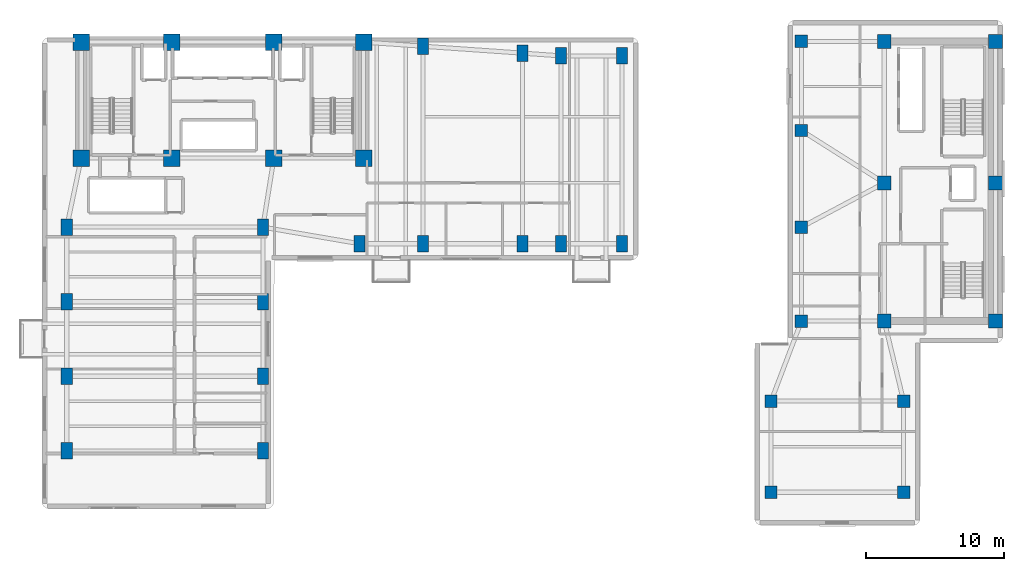
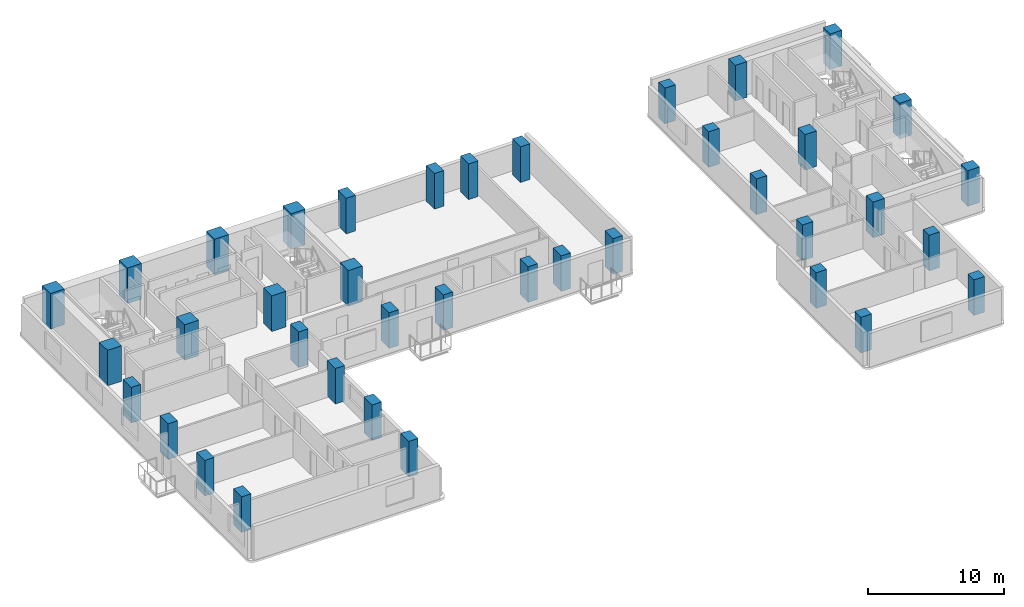
# One storey, part 1 of 14: 39 columns.
"""IFC4 building model written with IfcOpenShell, lengths in metres."""

import ifcopenshell
import ifcopenshell.guid

model = None  # the IFC model being written
_history = None  # IfcOwnerHistory: only IFC2X3 demands one
_inside = {}  # id of a spatial element -> (the spatial element, [elements in it])
_under = {}  # id of a project, library or spatial element -> (it, [spatial elements below it])
_declared = {}  # id of a project -> (the project, [libraries it declares])
_typed = {}  # id of a type object -> (the type object, [elements of that type])
_made_of = {}  # id of a material, layer set ... -> (it, [elements and type objects made of it])


def new_model(schema):
    """Start an empty IFC model of exactly this schema.

    Asked for "IFC4X3", IfcOpenShell would pick the latest addendum, in which some entities
    have other attributes; the version numbers below select the first issue.
    IFC2X3 requires an IfcOwnerHistory on every rooted entity: one is made here for all.
    """
    global model, _history
    if schema == "IFC4X3":
        model = ifcopenshell.file(schema_version=(4, 3, 0, 0))
    else:
        model = ifcopenshell.file(schema=schema)
    _inside.clear()
    _under.clear()
    _declared.clear()
    _typed.clear()
    _made_of.clear()
    _history = None
    if model.schema == "IFC2X3":
        org = make("IfcOrganization", Name="unknown")
        user = make(
            "IfcPersonAndOrganization",
            ThePerson=make("IfcPerson", FamilyName="unknown"),
            TheOrganization=org,
        )
        app = make(
            "IfcApplication",
            ApplicationDeveloper=org,
            Version="unknown",
            ApplicationFullName="unknown",
            ApplicationIdentifier="unknown",
        )
        _history = make(
            "IfcOwnerHistory",
            OwningUser=user,
            OwningApplication=app,
            ChangeAction="ADDED",
            CreationDate=0,
        )
    return model


def make(cls, **values):
    """One entity of the class cls with the attributes given. An attribute that is None is left unset."""
    return model.create_entity(
        cls, **{name: value for name, value in values.items() if value is not None}
    )


def rooted(cls, **values):
    """An entity with a GlobalId (a new one), such as an element, a storey or a relation."""
    return make(cls, GlobalId=ifcopenshell.guid.new(), OwnerHistory=_history, **values)


def si_unit(unit_type, name, prefix=None):
    """IfcSIUnit, for example si_unit("LENGTHUNIT", "METRE", prefix="MILLI")."""
    return make("IfcSIUnit", UnitType=unit_type, Prefix=prefix, Name=name)


def assignment(units):
    """IfcUnitAssignment: the units of a project."""
    return None if units is None else make("IfcUnitAssignment", Units=units)


def point(xyz):
    """IfcCartesianPoint."""
    return None if xyz is None else make("IfcCartesianPoint", Coordinates=xyz)


def direction(xyz):
    """IfcDirection."""
    return None if xyz is None else make("IfcDirection", DirectionRatios=xyz)


def frame(location, z_axis=None, x_axis=None):
    """IfcAxis2Placement3D, a coordinate frame: its origin and axes. An axis left out is left unset."""
    return make(
        "IfcAxis2Placement3D",
        Location=point(location),
        Axis=direction(z_axis),
        RefDirection=direction(x_axis),
    )


def frame_2d(location, x_axis=None):
    """IfcAxis2Placement2D, a coordinate frame in the plane: its origin and x axis."""
    return make(
        "IfcAxis2Placement2D", Location=point(location), RefDirection=direction(x_axis)
    )


def origin():
    """The frame at (0, 0, 0) with its axes left unset."""
    return frame((0.0, 0.0, 0.0))


def origin_2d():
    """The frame at (0, 0) in the plane with its x axis left unset."""
    return frame_2d((0.0, 0.0))


def place(relative_to, where):
    """IfcLocalPlacement: puts the frame where relative to a parent placement (None: the world)."""
    return make(
        "IfcLocalPlacement", PlacementRelTo=relative_to, RelativePlacement=where
    )


def context(
    kind, dimensions, precision=None, world=None, true_north=None, identifier=None
):
    """IfcGeometricRepresentationContext, for example the 3D "Model" context."""
    return make(
        "IfcGeometricRepresentationContext",
        ContextIdentifier=identifier,
        ContextType=kind,
        CoordinateSpaceDimension=dimensions,
        Precision=precision,
        WorldCoordinateSystem=world,
        TrueNorth=true_north,
    )


def subcontext(parent, identifier, kind, view, scale=None):
    """IfcGeometricRepresentationSubContext, for example "Body" below "Model"."""
    return make(
        "IfcGeometricRepresentationSubContext",
        ContextIdentifier=identifier,
        ContextType=kind,
        ParentContext=parent,
        TargetScale=scale,
        TargetView=view,
    )


def project(units=None, contexts=None):
    """IfcProject with its units and contexts."""
    return rooted(
        "IfcProject",
        Name="project",
        RepresentationContexts=contexts,
        UnitsInContext=assignment(units),
    )


def spatial(cls, under=None, at=None, **own):
    """A site, building, storey or space (cls), placed at a placement, below another one or the project."""
    s = rooted(cls, ObjectPlacement=at, **own)
    if under is not None:
        _under.setdefault(under.id(), (under, []))[1].append(s)
    return s


def profile(cls, at=None, kind="AREA", **sizes):
    """A parametric profile (cls). Its sizes go by their IFC names, for example OverallWidth=200.0."""
    return make(cls, ProfileType=kind, Position=at, **sizes)


def rectangle(**sizes):
    """IfcRectangleProfileDef."""
    return profile("IfcRectangleProfileDef", **sizes)


def extrude(swept, where, along, depth):
    """IfcExtrudedAreaSolid: the profile swept, set in the frame where, extruded along a direction by depth."""
    return make(
        "IfcExtrudedAreaSolid",
        SweptArea=swept,
        Position=where,
        ExtrudedDirection=direction(along),
        Depth=depth,
    )


def shape(context_of_items, identifier, shape_type, items):
    """IfcShapeRepresentation: the items that make up one representation, for example the "Body"."""
    return make(
        "IfcShapeRepresentation",
        ContextOfItems=context_of_items,
        RepresentationIdentifier=identifier,
        RepresentationType=shape_type,
        Items=items,
    )


def material(Name=None, Category=None):
    """IfcMaterial."""
    return make("IfcMaterial", Name=Name, Category=Category)


def material_profile(
    of_material, cross_section, Name=None, Category=None, Priority=None
):
    """IfcMaterialProfile: a cross section and its material."""
    return make(
        "IfcMaterialProfile",
        Name=Name,
        Material=of_material,
        Profile=cross_section,
        Priority=Priority,
        Category=Category,
    )


def profile_set(profiles, Name=None, composite=None):
    """IfcMaterialProfileSet."""
    return make(
        "IfcMaterialProfileSet",
        Name=Name,
        MaterialProfiles=profiles,
        CompositeProfile=composite,
    )


def made_of(thing, what):
    """Note that an element or type object is made of a material, layer set ...; save() writes the relation."""
    if what is not None:
        _made_of.setdefault(what.id(), (what, []))[1].append(thing)
    return thing


def type_object(cls, material=None, **own):
    """A type object (cls), such as IfcWallType, which elements share."""
    return made_of(rooted(cls, **own), material)


def element(
    cls,
    number,
    at=None,
    inside=None,
    cuts=None,
    type_object=None,
    material=None,
    context=None,
    identifier="Body",
    shape_type=None,
    held_by="IfcProductDefinitionShape",
    body=None,
    shapes=None,
    **own,
):
    """One element of the class cls, such as IfcWall. Its Tag is "e" and its number.

    at: its placement. inside: the storey or other place that contains it. cuts: it is an
    opening in that element (IfcRelVoidsElement). A single representation is given by context,
    identifier, shape_type and body (its items); several are given by shapes. held_by: the class
    of the entity that holds the representations. save() writes the other relations.
    """
    e = rooted(cls, Tag="e%d" % number, ObjectPlacement=at, **own)
    if body is not None:
        shapes = [shape(context, identifier, shape_type, body)]
    if shapes is not None:
        e.Representation = make(held_by, Representations=shapes)
    if inside is not None:
        _inside.setdefault(inside.id(), (inside, []))[1].append(e)
    if cuts is not None:
        rooted(
            "IfcRelVoidsElement", RelatingBuildingElement=cuts, RelatedOpeningElement=e
        )
    if type_object is not None:
        _typed.setdefault(type_object.id(), (type_object, []))[1].append(e)
    return made_of(e, material)


def aggregate(whole, parts):
    """IfcRelAggregates: a whole, such as a stair, and the parts it consists of."""
    return rooted("IfcRelAggregates", RelatingObject=whole, RelatedObjects=parts)


def save(model, path):
    """Write the relations noted so far, then the file.

    IfcRelAggregates (storeys below a building ...), IfcRelContainedInSpatialStructure (elements
    in a storey), IfcRelDefinesByType, IfcRelAssociatesMaterial and IfcRelDeclares: one each for
    every whole, place, type object, material and project.
    """
    for whole, parts in _under.values():
        aggregate(whole, parts)
    for where, things in _inside.values():
        rooted(
            "IfcRelContainedInSpatialStructure",
            RelatedElements=things,
            RelatingStructure=where,
        )
    for kind, things in _typed.values():
        rooted("IfcRelDefinesByType", RelatedObjects=things, RelatingType=kind)
    for what, things in _made_of.values():
        rooted("IfcRelAssociatesMaterial", RelatedObjects=things, RelatingMaterial=what)
    for by, libraries in _declared.values():
        rooted("IfcRelDeclares", RelatingContext=by, RelatedDefinitions=libraries)
    model.write(path)


model = new_model("IFC4")

# Units and contexts
model_context = context("Model", 3, precision=1e-05, world=origin(), true_north=direction((0.0, 1.0)))
body_context = subcontext(model_context, "Body", "Model", "MODEL_VIEW")
ifc_project = project(units=[si_unit("LENGTHUNIT", "METRE"), si_unit("AREAUNIT", "SQUARE_METRE"), si_unit("VOLUMEUNIT", "CUBIC_METRE"), si_unit("PLANEANGLEUNIT", "RADIAN"), si_unit("MASSUNIT", "GRAM", prefix="KILO")], contexts=[model_context])

# Site, building, storey
site_placement = place(None, origin())
site = spatial("IfcSite", under=ifc_project, at=site_placement, CompositionType="ELEMENT")
building_placement = place(site_placement, origin())
building = spatial("IfcBuilding", under=site, at=building_placement, Name="Kuzgunbayir Cultural Tower", CompositionType="ELEMENT")
storey_placement = place(building_placement, frame((0.0, 0.0, 69.199951171875)))
storey = spatial("IfcBuildingStorey", under=building, at=storey_placement, Name="L19", CompositionType="ELEMENT", Elevation=69.199951171875)

# Columns
ifc_material = material(Name="Concrete C60/75", Category="concrete")
ifc_material_profile_1 = material_profile(ifc_material, rectangle(XDim=1.199951171875, YDim=1.199951171875, at=origin_2d()), Name="RC 1200x1200")
ifc_profile_set_1 = profile_set([ifc_material_profile_1], Name="Concrete C60/75")
column_type_1 = type_object("IfcColumnType", Name="COL-CORE-1200", PredefinedType="COLUMN", material=ifc_profile_set_1)
for number, where, z_axis, x_axis, name in (
    (1, (6.449951171875, 33.800048828125, 0.0), (0.0, 0.0, 1.0), (1.0, 0.0, 0.0), "L19 T1 Core Boundary Column CC1-1"),
    (2, (13.0, 33.800048828125, 0.0), (0.0, 0.0, 1.0), (1.0, 0.0, 0.0), "L19 T1 Core Boundary Column CC1-2"),
    (3, (20.39990234375, 33.800048828125, 0.0), (0.0, 0.0, 1.0), (1.0, 0.0, 0.0), "L19 T1 Core Boundary Column CC1-3"),
    (4, (26.89990234375, 33.800048828125, 0.0), (0.0, 0.0, 1.0), (1.0, 0.0, 0.0), "L19 T1 Core Boundary Column CC1-4"),
    (5, (6.449951171875, 42.199951171875, 0.0), (0.0, 0.0, 1.0), (1.0, 0.0, 0.0), "L19 T1 Core Boundary Column CC1-5"),
    (6, (13.0, 42.199951171875, 0.0), (0.0, 0.0, 1.0), (1.0, 0.0, 0.0), "L19 T1 Core Boundary Column CC1-6"),
    (7, (20.39990234375, 42.199951171875, 0.0), (0.0, 0.0, 1.0), (1.0, 0.0, 0.0), "L19 T1 Core Boundary Column CC1-7"),
    (8, (26.89990234375, 42.199951171875, 0.0), (0.0, 0.0, 1.0), (1.0, 0.0, 0.0), "L19 T1 Core Boundary Column CC1-8"),
):
    element("IfcColumn", number, at=place(storey_placement, frame(where, z_axis=z_axis, x_axis=x_axis)), inside=storey, type_object=column_type_1, Name=name, PredefinedType="COLUMN", context=body_context, shape_type="SweptSolid", body=[
        extrude(rectangle(XDim=1.199951171875, YDim=1.199951171875, at=origin_2d()), origin(), (0.0, 0.0, 1.0), 3.199951171875),
    ])
ifc_material_profile_2 = material_profile(ifc_material, rectangle(XDim=0.800048828125, YDim=1.199951171875, at=origin_2d()), Name="RC 1200x800")
ifc_profile_set_2 = profile_set([ifc_material_profile_2], Name="Concrete C60/75")
column_type_2 = type_object("IfcColumnType", Name="COL-T1-1200x800", PredefinedType="COLUMN", material=ifc_profile_set_2)
for number, where, z_axis, x_axis, name in (
    (9, (5.39990234375, 12.60009765625, 0.0), (0.0, 0.0, 1.0), (1.0, 0.0, 0.0), "L19 Tower 1 Wing A Column T1A-W-1"),
    (10, (19.60009765625, 12.60009765625, 0.0), (0.0, 0.0, 1.0), (1.0, 0.0, 0.0), "L19 Tower 1 Wing A Column T1A-E-1"),
    (11, (5.39990234375, 18.0, 0.0), (0.0, 0.0, 1.0), (1.0, 0.0, 0.0), "L19 Tower 1 Wing A Column T1A-W-2"),
    (12, (19.60009765625, 18.0, 0.0), (0.0, 0.0, 1.0), (1.0, 0.0, 0.0), "L19 Tower 1 Wing A Column T1A-E-2"),
    (13, (5.39990234375, 23.39990234375, 0.0), (0.0, 0.0, 1.0), (1.0, 0.0, 0.0), "L19 Tower 1 Wing A Column T1A-W-3"),
    (14, (19.60009765625, 23.39990234375, 0.0), (0.0, 0.0, 1.0), (1.0, 0.0, 0.0), "L19 Tower 1 Wing A Column T1A-E-3"),
    (15, (5.39990234375, 28.800048828125, 0.0), (0.0, 0.0, 1.0), (1.0, 0.0, 0.0), "L19 Tower 1 Wing A Column T1A-W-4"),
    (16, (19.60009765625, 28.800048828125, 0.0), (0.0, 0.0, 1.0), (1.0, 0.0, 0.0), "L19 Tower 1 Wing A Column T1A-E-4"),
    (17, (26.60009765625, 27.60009765625, 0.0), (0.0, 0.0, 1.0), (1.0, 0.0, 0.0), "L19 Tower 1 Wing B Column T1B-1-1"),
    (18, (31.199951171875, 27.60009765625, 0.0), (0.0, 0.0, 1.0), (1.0, 0.0, 0.0), "L19 Tower 1 Wing B Column T1B-2-1"),
    (19, (31.199951171875, 41.89990234375, 0.0), (0.0, 0.0, 1.0), (1.0, 0.0, 0.0), "L19 Tower 1 Wing B Column T1B-2-2"),
    (20, (38.39990234375, 27.60009765625, 0.0), (0.0, 0.0, 1.0), (1.0, 0.0, 0.0), "L19 Tower 1 Wing B Column T1B-3-1"),
    (21, (38.39990234375, 41.39990234375, 0.0), (0.0, 0.0, 1.0), (1.0, 0.0, 0.0), "L19 Tower 1 Wing B Column T1B-3-2"),
    (22, (41.199951171875, 27.60009765625, 0.0), (0.0, 0.0, 1.0), (1.0, 0.0, 0.0), "L19 Tower 1 Wing B Column T1B-4-1"),
    (23, (41.199951171875, 41.199951171875, 0.0), (0.0, 0.0, 1.0), (1.0, 0.0, 0.0), "L19 Tower 1 Wing B Column T1B-4-2"),
    (24, (45.60009765625, 27.60009765625, 0.0), (0.0, 0.0, 1.0), (1.0, 0.0, 0.0), "L19 Tower 1 Wing B Column T1B-5-1"),
    (25, (45.60009765625, 41.199951171875, 0.0), (0.0, 0.0, 1.0), (1.0, 0.0, 0.0), "L19 Tower 1 Wing B Column T1B-5-2"),
):
    element("IfcColumn", number, at=place(storey_placement, frame(where, z_axis=z_axis, x_axis=x_axis)), inside=storey, type_object=column_type_2, Name=name, PredefinedType="COLUMN", context=body_context, shape_type="SweptSolid", body=[
        extrude(rectangle(XDim=0.800048828125, YDim=1.199951171875, at=origin_2d()), origin(), (0.0, 0.0, 1.0), 3.199951171875),
    ])
ifc_material_profile_3 = material_profile(ifc_material, rectangle(XDim=1.0, YDim=1.0, at=origin_2d()), Name="RC 1000x1000")
ifc_profile_set_3 = profile_set([ifc_material_profile_3], Name="Concrete C60/75")
column_type_3 = type_object("IfcColumnType", Name="COL-T2-1000", PredefinedType="COLUMN", material=ifc_profile_set_3)
for number, where, z_axis, x_axis, name in (
    (26, (64.60009765625, 22.0, 0.0), (0.0, 0.0, 1.0), (1.0, 0.0, 0.0), "L19 T2 Core Boundary Column CC2-1"),
    (27, (72.64990234375, 22.0, 0.0), (0.0, 0.0, 1.0), (1.0, 0.0, 0.0), "L19 T2 Core Boundary Column CC2-2"),
    (28, (64.60009765625, 32.0, 0.0), (0.0, 0.0, 1.0), (1.0, 0.0, 0.0), "L19 T2 Core Boundary Column CC2-3"),
    (29, (72.64990234375, 32.0, 0.0), (0.0, 0.0, 1.0), (1.0, 0.0, 0.0), "L19 T2 Core Boundary Column CC2-4"),
    (30, (64.60009765625, 42.25, 0.0), (0.0, 0.0, 1.0), (1.0, 0.0, 0.0), "L19 T2 Core Boundary Column CC2-5"),
    (31, (72.64990234375, 42.25, 0.0), (0.0, 0.0, 1.0), (1.0, 0.0, 0.0), "L19 T2 Core Boundary Column CC2-6"),
):
    element("IfcColumn", number, at=place(storey_placement, frame(where, z_axis=z_axis, x_axis=x_axis)), inside=storey, type_object=column_type_3, Name=name, PredefinedType="COLUMN", context=body_context, shape_type="SweptSolid", body=[
        extrude(rectangle(XDim=1.0, YDim=1.0, at=origin_2d()), origin(), (0.0, 0.0, 1.0), 3.199951171875),
    ])
ifc_material_profile_4 = material_profile(ifc_material, rectangle(XDim=0.89990234375, YDim=0.89990234375, at=origin_2d()), Name="RC 900x900")
ifc_profile_set_4 = profile_set([ifc_material_profile_4], Name="Concrete C60/75")
column_type_4 = type_object("IfcColumnType", Name="COL-T2-900", PredefinedType="COLUMN", material=ifc_profile_set_4)
for number, where, z_axis, x_axis, name in (
    (32, (58.60009765625, 22.0, 0.0), (0.0, 0.0, 1.0), (1.0, 0.0, 0.0), "L19 Companion Wing A Column T2A-W-1"),
    (33, (58.60009765625, 28.800048828125, 0.0), (0.0, 0.0, 1.0), (1.0, 0.0, 0.0), "L19 Companion Wing A Column T2A-W-2"),
    (34, (58.60009765625, 35.800048828125, 0.0), (0.0, 0.0, 1.0), (1.0, 0.0, 0.0), "L19 Companion Wing A Column T2A-W-3"),
    (35, (58.60009765625, 42.25, 0.0), (0.0, 0.0, 1.0), (1.0, 0.0, 0.0), "L19 Companion Wing A Column T2A-W-4"),
    (36, (56.39990234375, 9.60009765625, 0.0), (0.0, 0.0, 1.0), (1.0, 0.0, 0.0), "L19 Companion Wing B Column T2B-1-1"),
    (37, (56.39990234375, 16.199951171875, 0.0), (0.0, 0.0, 1.0), (1.0, 0.0, 0.0), "L19 Companion Wing B Column T2B-1-2"),
    (38, (66.0, 9.60009765625, 0.0), (0.0, 0.0, 1.0), (1.0, 0.0, 0.0), "L19 Companion Wing B Column T2B-2-1"),
    (39, (66.0, 16.199951171875, 0.0), (0.0, 0.0, 1.0), (1.0, 0.0, 0.0), "L19 Companion Wing B Column T2B-2-2"),
):
    element("IfcColumn", number, at=place(storey_placement, frame(where, z_axis=z_axis, x_axis=x_axis)), inside=storey, type_object=column_type_4, Name=name, PredefinedType="COLUMN", context=body_context, shape_type="SweptSolid", body=[
        extrude(rectangle(XDim=0.89990234375, YDim=0.89990234375, at=origin_2d()), origin(), (0.0, 0.0, 1.0), 3.199951171875),
    ])

save(model, "model.ifc")
